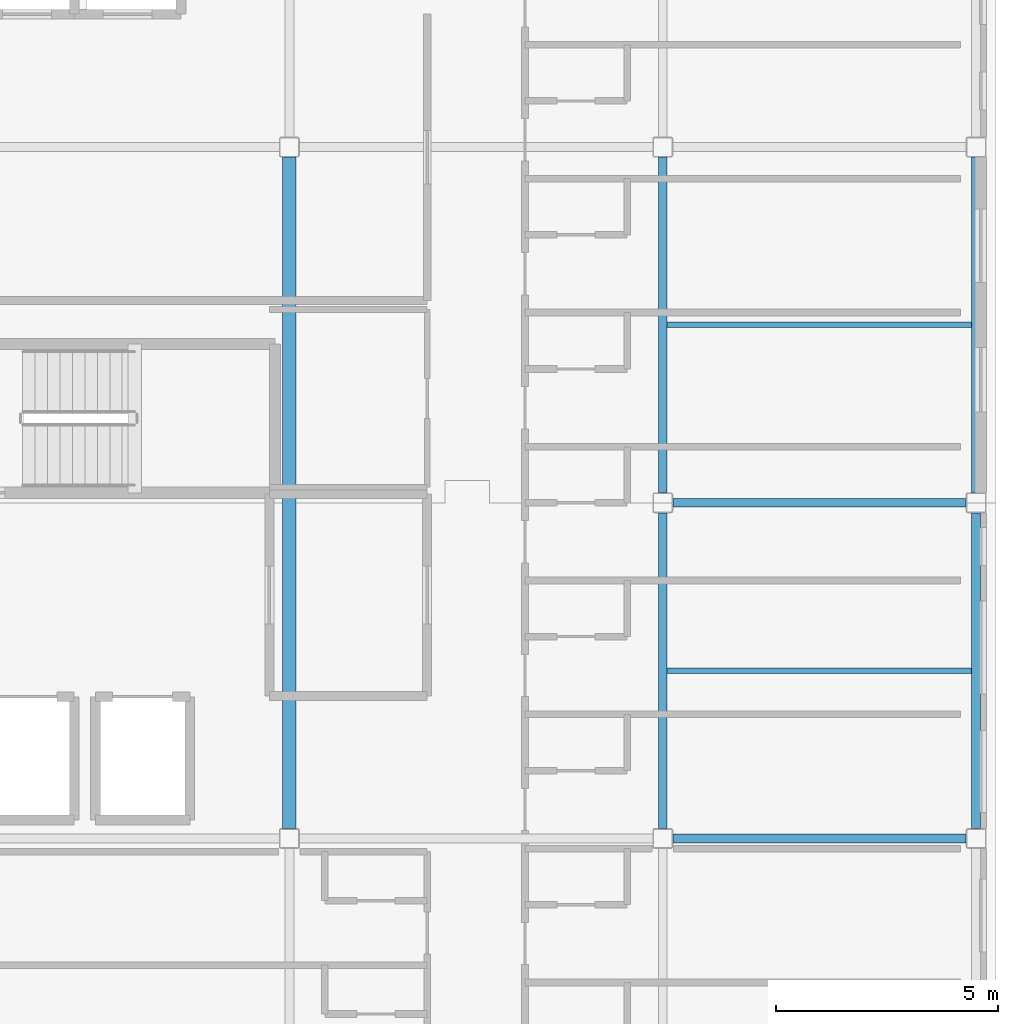
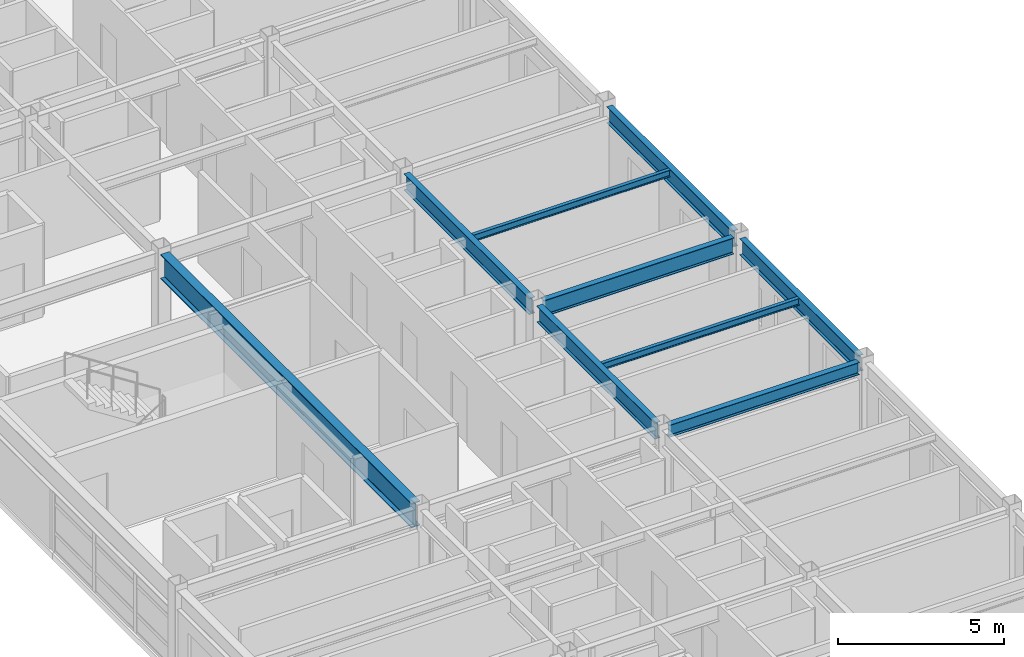
# One storey, part 12 of 28: 9 beams.
"""IFC4 building model written with IfcOpenShell, lengths in metres."""

from ifc_helpers import new_model, si_unit, direction, frame, origin, origin_2d, place, context, subcontext, project, spatial, i_section, extrude, material, material_profile, profile_set, type_object, element, save


model = new_model("IFC4")

# Units and contexts
model_context = context("Model", 3, precision=1e-05, world=origin(), true_north=direction((0.0, 1.0)))
body_context = subcontext(model_context, "Body", "Model", "MODEL_VIEW")
ifc_project = project(units=[si_unit("LENGTHUNIT", "METRE"), si_unit("AREAUNIT", "SQUARE_METRE"), si_unit("VOLUMEUNIT", "CUBIC_METRE"), si_unit("PLANEANGLEUNIT", "RADIAN"), si_unit("MASSUNIT", "GRAM", prefix="KILO")], contexts=[model_context])

# Site, building, storey
site_placement = place(None, origin())
site = spatial("IfcSite", under=ifc_project, at=site_placement, CompositionType="ELEMENT")
building_placement = place(site_placement, origin())
building = spatial("IfcBuilding", under=site, at=building_placement, Name="Kazehara Bluff Congress Hotel", CompositionType="ELEMENT")
storey_placement = place(building_placement, frame((0.0, 0.0, 42.60009765625)))
storey = spatial("IfcBuildingStorey", under=building, at=storey_placement, Name="L10", CompositionType="ELEMENT", Elevation=42.60009765625)

# Beams
ifc_material_1 = material(Name="Steel SN490B", Category="steel")
ifc_material_profile_1 = material_profile(ifc_material_1, i_section(OverallWidth=0.199951171875, OverallDepth=0.60009765625, WebThickness=0.010986328125, FlangeThickness=0.01708984375, FilletRadius=0.012939453125, at=origin_2d()))
ifc_profile_set_1 = profile_set([ifc_material_profile_1], Name="Steel SN490B")
beam_type_1 = type_object("IfcBeamType", Name="TP-G-02", PredefinedType="BEAM", material=ifc_profile_set_1)
beam_1_placement = place(storey_placement, frame((160.5, 41.125, 3.079833984375), z_axis=(0.0, 1.0, 0.0), x_axis=(-1.0, 0.0, 0.0)))
element("IfcBeam", 1, at=beam_1_placement, inside=storey, type_object=beam_type_1, Name="L10 girder G-02 17", PredefinedType="BEAM", context=body_context, shape_type="SweptSolid", body=[
    extrude(i_section(OverallWidth=0.199951171875, OverallDepth=0.60009765625, WebThickness=0.010986328125, FlangeThickness=0.01708984375, FilletRadius=0.012939453125, at=origin_2d()), origin(), (0.0, 0.0, 1.0), 7.10009765625),
])
beam_2_placement = place(storey_placement, frame((160.5, 48.675048828125, 3.079833984375), z_axis=(0.0, 1.0, 0.0), x_axis=(-1.0, 0.0, 0.0)))
element("IfcBeam", 2, at=beam_2_placement, inside=storey, type_object=beam_type_1, Name="L10 girder G-02 18", PredefinedType="BEAM", context=body_context, shape_type="SweptSolid", body=[
    extrude(i_section(OverallWidth=0.199951171875, OverallDepth=0.60009765625, WebThickness=0.010986328125, FlangeThickness=0.01708984375, FilletRadius=0.012939453125, at=origin_2d()), origin(), (0.0, 0.0, 1.0), 7.550048828125),
])
beam_3_placement = place(storey_placement, frame((167.550048828125, 41.125, 3.079833984375), z_axis=(0.0, 1.0, 0.0), x_axis=(-1.0, 0.0, 0.0)))
element("IfcBeam", 3, at=beam_3_placement, inside=storey, type_object=beam_type_1, Name="L10 girder G-02 22", PredefinedType="BEAM", context=body_context, shape_type="SweptSolid", body=[
    extrude(i_section(OverallWidth=0.199951171875, OverallDepth=0.60009765625, WebThickness=0.010986328125, FlangeThickness=0.01708984375, FilletRadius=0.012939453125, at=origin_2d()), origin(), (0.0, 0.0, 1.0), 7.10009765625),
])
beam_4_placement = place(storey_placement, frame((167.550048828125, 48.675048828125, 3.079833984375), z_axis=(0.0, 1.0, 0.0), x_axis=(-1.0, 0.0, 0.0)))
element("IfcBeam", 4, at=beam_4_placement, inside=storey, type_object=beam_type_1, Name="L10 girder G-02 23", PredefinedType="BEAM", context=body_context, shape_type="SweptSolid", body=[
    extrude(i_section(OverallWidth=0.199951171875, OverallDepth=0.60009765625, WebThickness=0.010986328125, FlangeThickness=0.01708984375, FilletRadius=0.012939453125, at=origin_2d()), origin(), (0.0, 0.0, 1.0), 7.550048828125),
])
ifc_material_2 = material(Name="Steel SN490B", Category="steel")
ifc_material_profile_2 = material_profile(ifc_material_2, i_section(OverallWidth=0.300048828125, OverallDepth=0.89990234375, WebThickness=0.01611328125, FlangeThickness=0.028076171875, FilletRadius=0.01806640625, at=origin_2d()))
ifc_profile_set_2 = profile_set([ifc_material_profile_2], Name="Steel SN490B")
beam_type_2 = type_object("IfcBeamType", Name="TP-G-08", PredefinedType="BEAM", material=ifc_profile_set_2)
beam_5_placement = place(storey_placement, frame((152.10009765625, 41.125, 2.929931640625), z_axis=(0.0, 1.0, 0.0), x_axis=(-1.0, 0.0, 0.0)))
element("IfcBeam", 5, at=beam_5_placement, inside=storey, type_object=beam_type_2, Name="L10 girder G-08 11", PredefinedType="BEAM", context=body_context, shape_type="SweptSolid", body=[
    extrude(i_section(OverallWidth=0.300048828125, OverallDepth=0.89990234375, WebThickness=0.01611328125, FlangeThickness=0.028076171875, FilletRadius=0.01806640625, at=origin_2d()), origin(), (0.0, 0.0, 1.0), 15.10009765625),
])
ifc_material_3 = material(Name="Steel SN490B", Category="steel")
ifc_material_profile_3 = material_profile(ifc_material_3, i_section(OverallWidth=0.199951171875, OverallDepth=0.449951171875, WebThickness=0.009033203125, FlangeThickness=0.013916015625, FilletRadius=0.012939453125, at=origin_2d()))
ifc_profile_set_3 = profile_set([ifc_material_profile_3], Name="Steel SN490B")
beam_type_3 = type_object("IfcBeamType", Name="TP-G-11", PredefinedType="BEAM", material=ifc_profile_set_3)
beam_6_placement = place(storey_placement, frame((160.72509765625, 40.89990234375, 3.15478515625), z_axis=(1.0, 0.0, 0.0), x_axis=(0.0, 1.0, 0.0)))
element("IfcBeam", 6, at=beam_6_placement, inside=storey, type_object=beam_type_3, Name="L10 girder G-11 36", PredefinedType="BEAM", context=body_context, shape_type="SweptSolid", body=[
    extrude(i_section(OverallWidth=0.199951171875, OverallDepth=0.449951171875, WebThickness=0.009033203125, FlangeThickness=0.013916015625, FilletRadius=0.012939453125, at=origin_2d()), origin(), (0.0, 0.0, 1.0), 6.599853515625),
])
ifc_material_4 = material(Name="Steel SN400B", Category="steel")
ifc_material_profile_4 = material_profile(ifc_material_4, i_section(OverallWidth=0.125, OverallDepth=0.25, WebThickness=0.006103515625, FlangeThickness=0.009033203125, FilletRadius=0.008056640625, at=origin_2d()))
ifc_profile_set_4 = profile_set([ifc_material_profile_4], Name="Steel SN400B")
beam_type_4 = type_object("IfcBeamType", Name="TP-J-05", PredefinedType="JOIST", material=ifc_profile_set_4)
for number, where, z_axis, x_axis, name in (
    (7, (160.60009765625, 44.675048828125, 3.2548828125), (1.0, 0.0, 0.0), (0.0, 1.0, 0.0), "L10 secondary joist J-05 10"),
    (8, (160.60009765625, 52.449951171875, 3.2548828125), (1.0, 0.0, 0.0), (0.0, 1.0, 0.0), "L10 secondary joist J-05 11"),
):
    element("IfcBeam", number, at=place(storey_placement, frame(where, z_axis=z_axis, x_axis=x_axis)), inside=storey, type_object=beam_type_4, Name=name, PredefinedType="JOIST", context=body_context, shape_type="SweptSolid", body=[
        extrude(i_section(OverallWidth=0.125, OverallDepth=0.25, WebThickness=0.006103515625, FlangeThickness=0.009033203125, FilletRadius=0.008056640625, at=origin_2d()), origin(), (0.0, 0.0, 1.0), 6.849853515625),
    ])
ifc_material_5 = material(Name="Steel SN490B", Category="steel")
ifc_material_profile_5 = material_profile(ifc_material_5, i_section(OverallWidth=0.199951171875, OverallDepth=0.60009765625, WebThickness=0.010986328125, FlangeThickness=0.01708984375, FilletRadius=0.012939453125, at=origin_2d()))
ifc_profile_set_5 = profile_set([ifc_material_profile_5], Name="Steel SN490B")
beam_type_5 = type_object("IfcBeamType", Name="TP-SP-02", PredefinedType="SPANDREL", material=ifc_profile_set_5)
beam_7_placement = place(storey_placement, frame((160.72509765625, 48.449951171875, 3.079833984375), z_axis=(1.0, 0.0, 0.0), x_axis=(0.0, 1.0, 0.0)))
element("IfcBeam", 9, at=beam_7_placement, inside=storey, type_object=beam_type_5, Name="L10 girder SP-02 37", PredefinedType="SPANDREL", context=body_context, shape_type="SweptSolid", body=[
    extrude(i_section(OverallWidth=0.199951171875, OverallDepth=0.60009765625, WebThickness=0.010986328125, FlangeThickness=0.01708984375, FilletRadius=0.012939453125, at=origin_2d()), origin(), (0.0, 0.0, 1.0), 6.599853515625),
])

save(model, "model.ifc")
